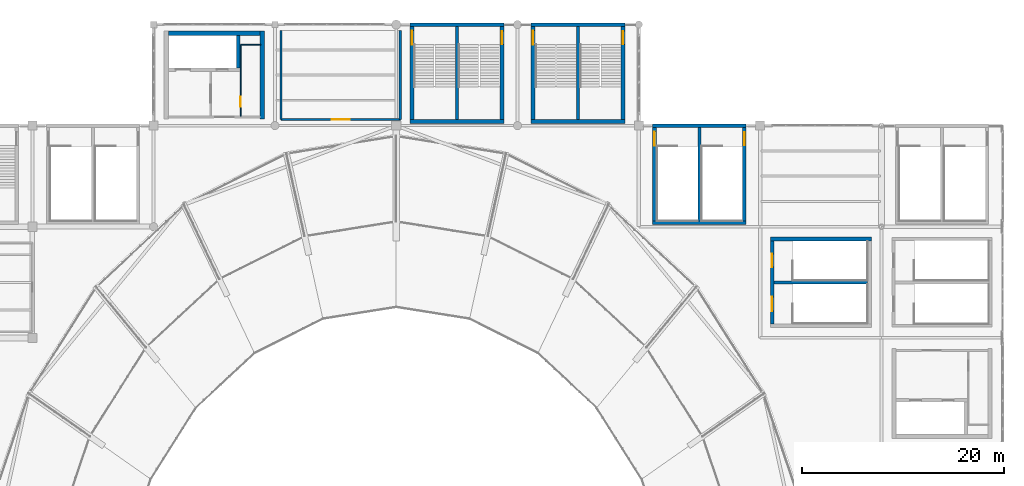
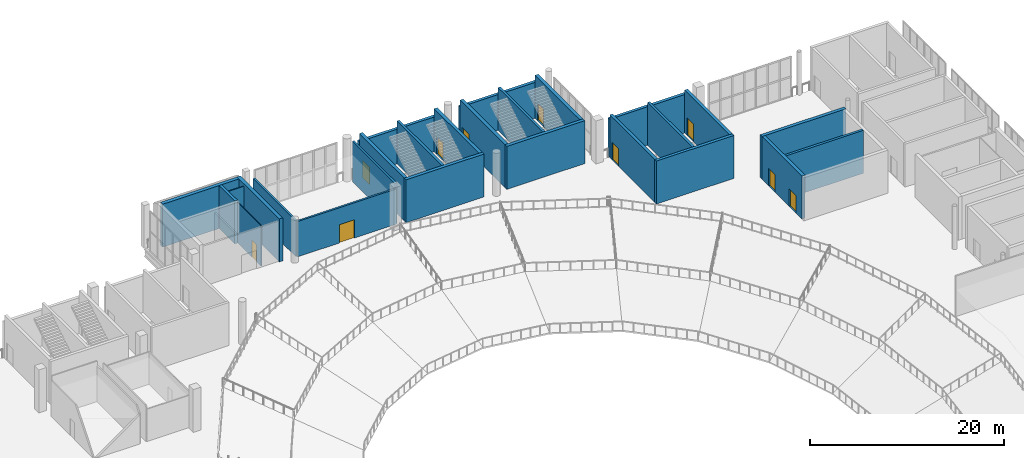
# One storey, part 55 of 74: 26 walls, 10 doors, 10 openings.
"""IFC4 building model written with IfcOpenShell, lengths in metres."""

from ifc_helpers import new_model, si_unit, direction, frame, frame_2d, origin, place, context, subcontext, project, spatial, rectangle, extrude, material, layer, layer_set, type_object, element, fill, save


model = new_model("IFC4")

# Units and contexts
model_context = context("Model", 3, precision=1e-05, world=origin(), true_north=direction((0.0, 1.0)))
body_context = subcontext(model_context, "Body", "Model", "MODEL_VIEW")
ifc_project = project(units=[si_unit("LENGTHUNIT", "METRE"), si_unit("AREAUNIT", "SQUARE_METRE"), si_unit("VOLUMEUNIT", "CUBIC_METRE"), si_unit("PLANEANGLEUNIT", "RADIAN"), si_unit("MASSUNIT", "GRAM", prefix="KILO")], contexts=[model_context])

# Site, building, storey
site_placement = place(None, origin())
site = spatial("IfcSite", under=ifc_project, at=site_placement, CompositionType="ELEMENT")
building_placement = place(site_placement, origin())
building = spatial("IfcBuilding", under=site, at=building_placement, Name="Brinegate Civic Arena", CompositionType="ELEMENT")
storey_placement = place(building_placement, frame((0.0, 0.0, 19.199951171875)))
storey = spatial("IfcBuildingStorey", under=building, at=storey_placement, Name="L04", CompositionType="ELEMENT", Elevation=19.199951171875)

# Wall
ifc_material_1 = material(Name="Concrete C50/60", Category="concrete")
ifc_layer_1 = layer(ifc_material_1, 0.35009765625, Name="Concrete C50/60")
ifc_layer_set_1 = layer_set([ifc_layer_1], Name="Concrete C50/60")
wall_type_1 = type_object("IfcWallType", Name="WALL-CORE-SHEAR-350", PredefinedType="SHEAR", material=ifc_layer_set_1)
wall_1_placement = place(storey_placement, frame((133.375, 104.39990234375, 0.0), z_axis=(0.0, 0.0, 1.0), x_axis=(1.0, 0.0, 0.0)))
element("IfcWall", 1, at=wall_1_placement, inside=storey, type_object=wall_type_1, Name="Stair ST-13 South Shear Wall L04 (WBE-50)", PredefinedType="SHEAR", context=body_context, shape_type="SweptSolid", body=[
    extrude(rectangle(XDim=9.25, YDim=0.35009765625, at=frame_2d((4.625, 0.0))), origin(), (0.0, 0.0, 1.0), 5.400146484375),
])

# Wall, opening, door
wall_2_placement = place(storey_placement, frame((133.550048828125, 104.574951171875, 0.0), z_axis=(0.0, 0.0, 1.0), x_axis=(0.0, 1.0, 0.0)))
wall_2 = element("IfcWall", 2, at=wall_2_placement, inside=storey, type_object=wall_type_1, Name="Stair ST-13 West Shear Wall L04 (WBE-52)", PredefinedType="SHEAR", context=body_context, shape_type="SweptSolid", body=[
    extrude(rectangle(XDim=9.25, YDim=0.35009765625, at=frame_2d((4.625, 0.0))), origin(), (0.0, 0.0, 1.0), 5.400146484375),
])
opening_1_placement = place(wall_2_placement, frame((7.425048828125, 0.0, 0.0)))
opening_1 = element("IfcOpeningElement", 3, at=opening_1_placement, cuts=wall_2, Name="Opening D-ST13A-L04", PredefinedType="OPENING", context=body_context, shape_type="SweptSolid", body=[
    extrude(rectangle(XDim=1.39990234375, YDim=2.199951171875, at=frame_2d((0.699951171875, 1.10009765625))), frame((0.0, 0.18505859375, 0.0), z_axis=(0.0, -1.0, 0.0), x_axis=(1.0, 0.0, 0.0)), (0.0, 0.0, 1.0), 0.3701171875),
])
ifc_material_2 = material(Name="Galvanized hurricane steel", Category="steel")
door_type_1 = type_object("IfcDoorType", Name="DOOR-STAIR-2400X2200", OperationType="NOTDEFINED", PredefinedType="DOOR", material=ifc_material_2)
door_1_placement = place(opening_1_placement, frame((1.39990234375, 0.0, 0.0), z_axis=(0.0, 0.0, 1.0), x_axis=(-1.0, 0.0, 0.0)))
door_1 = element("IfcDoor", 4, at=door_1_placement, inside=storey, type_object=door_type_1, Name="Protected Exit Stair Door D-ST13A-L04", OperationType="DOUBLE_DOOR_SINGLE_SWING", OverallHeight=2.199951171875, OverallWidth=1.39990234375, PredefinedType="DOOR", context=body_context, shape_type="SweptSolid", body=[
    extrude(rectangle(XDim=1.39990234375, YDim=2.199951171875, at=frame_2d((0.699951171875, 1.10009765625))), frame((0.0, 0.02490234375, 0.0), z_axis=(0.0, -1.0, 0.0), x_axis=(1.0, 0.0, 0.0)), (0.0, 0.0, 1.0), 0.050048828125),
])
fill(opening_1, door_1)

wall_3_placement = place(storey_placement, frame((142.449951171875, 104.574951171875, 0.0), z_axis=(0.0, 0.0, 1.0), x_axis=(0.0, 1.0, 0.0)))
wall_3 = element("IfcWall", 5, at=wall_3_placement, inside=storey, type_object=wall_type_1, Name="Stair ST-13 East Shear Wall L04 (WBE-53)", PredefinedType="SHEAR", context=body_context, shape_type="SweptSolid", body=[
    extrude(rectangle(XDim=9.25, YDim=0.35009765625, at=frame_2d((4.625, 0.0))), origin(), (0.0, 0.0, 1.0), 5.400146484375),
])
opening_2_placement = place(wall_3_placement, frame((7.465087890625, 0.0, 0.0)))
opening_2 = element("IfcOpeningElement", 6, at=opening_2_placement, cuts=wall_3, Name="Opening D-ST13B-L04", PredefinedType="OPENING", context=body_context, shape_type="SweptSolid", body=[
    extrude(rectangle(XDim=1.320068359375, YDim=2.199951171875, at=frame_2d((0.66015625, 1.10009765625))), frame((0.0, 0.18505859375, 0.0), z_axis=(0.0, -1.0, 0.0), x_axis=(1.0, 0.0, 0.0)), (0.0, 0.0, 1.0), 0.3701171875),
])
door_type_2 = type_object("IfcDoorType", Name="DOOR-STAIR-2200X2200", OperationType="NOTDEFINED", PredefinedType="DOOR", material=ifc_material_2)
door_2_placement = place(opening_2_placement, origin())
door_2 = element("IfcDoor", 7, at=door_2_placement, inside=storey, type_object=door_type_2, Name="Protected Exit Stair Door D-ST13B-L04", OperationType="DOUBLE_DOOR_SINGLE_SWING", OverallHeight=2.199951171875, OverallWidth=1.320068359375, PredefinedType="DOOR", context=body_context, shape_type="SweptSolid", body=[
    extrude(rectangle(XDim=1.320068359375, YDim=2.199951171875, at=frame_2d((0.66015625, 1.10009765625))), frame((0.0, 0.02490234375, 0.0), z_axis=(0.0, -1.0, 0.0), x_axis=(1.0, 0.0, 0.0)), (0.0, 0.0, 1.0), 0.050048828125),
])
fill(opening_2, door_2)

# Walls
wall_4_placement = place(storey_placement, frame((92.35009765625, 119.72509765625, 0.0), z_axis=(0.0, 0.0, 1.0), x_axis=(0.0, 1.0, 0.0)))
element("IfcWall", 8, at=wall_4_placement, inside=storey, type_object=wall_type_1, Name="Core K3 Lift Shaft End Wall L04 (WBG-85)", PredefinedType="SHEAR", context=body_context, shape_type="SweptSolid", body=[
    extrude(rectangle(XDim=3.21484375, YDim=0.35009765625, at=frame_2d((1.607421875, 0.0))), origin(), (0.0, 0.0, 1.0), 5.400146484375),
])
ifc_layer_2 = layer(ifc_material_1, 0.389892578125, Name="Concrete C50/60")
ifc_layer_set_2 = layer_set([ifc_layer_2], Name="Concrete C50/60")
wall_type_2 = type_object("IfcWallType", Name="WALL-CORE-SHEAR-390", PredefinedType="SHEAR", material=ifc_layer_set_2)
wall_5_placement = place(storey_placement, frame((121.35498046875, 114.39990234375, 0.0), z_axis=(0.0, 0.0, 1.0), x_axis=(1.0, 0.0, 0.0)))
element("IfcWall", 9, at=wall_5_placement, inside=storey, type_object=wall_type_2, Name="Stair ST-03 South Shear Wall L04 (WBB-82)", PredefinedType="SHEAR", context=body_context, shape_type="SweptSolid", body=[
    extrude(rectangle(XDim=9.2900390625, YDim=0.389892578125, at=frame_2d((4.64501953125, 0.0))), origin(), (0.0, 0.0, 1.0), 5.400146484375),
])

# Wall, opening, door
wall_6_placement = place(storey_placement, frame((121.550048828125, 114.594970703125, 0.0), z_axis=(0.0, 0.0, 1.0), x_axis=(0.0, 1.0, 0.0)))
wall_6 = element("IfcWall", 10, at=wall_6_placement, inside=storey, type_object=wall_type_2, Name="Stair ST-03 West Shear Wall L04 (WBB-84)", PredefinedType="SHEAR", context=body_context, shape_type="SweptSolid", body=[
    extrude(rectangle(XDim=9.22998046875, YDim=0.389892578125, at=frame_2d((4.614990234375, 0.0))), origin(), (0.0, 0.0, 1.0), 5.400146484375),
])
opening_3_placement = place(wall_6_placement, frame((7.405029296875, 0.0, 0.0)))
opening_3 = element("IfcOpeningElement", 11, at=opening_3_placement, cuts=wall_6, Name="Opening D-ST03A-L04", PredefinedType="OPENING", context=body_context, shape_type="SweptSolid", body=[
    extrude(rectangle(XDim=1.39990234375, YDim=2.199951171875, at=frame_2d((0.699951171875, 1.10009765625))), frame((0.0, 0.204833984375, 0.0), z_axis=(0.0, -1.0, 0.0), x_axis=(1.0, 0.0, 0.0)), (0.0, 0.0, 1.0), 0.409912109375),
])
door_3_placement = place(opening_3_placement, frame((1.39990234375, 0.0, 0.0), z_axis=(0.0, 0.0, 1.0), x_axis=(-1.0, 0.0, 0.0)))
door_3 = element("IfcDoor", 12, at=door_3_placement, inside=storey, type_object=door_type_1, Name="Protected Exit Stair Door D-ST03A-L04", OperationType="DOUBLE_DOOR_SINGLE_SWING", OverallHeight=2.199951171875, OverallWidth=1.39990234375, PredefinedType="DOOR", context=body_context, shape_type="SweptSolid", body=[
    extrude(rectangle(XDim=1.39990234375, YDim=2.199951171875, at=frame_2d((0.699951171875, 1.10009765625))), frame((0.0, 0.02490234375, 0.0), z_axis=(0.0, -1.0, 0.0), x_axis=(1.0, 0.0, 0.0)), (0.0, 0.0, 1.0), 0.050048828125),
])
fill(opening_3, door_3)

wall_7_placement = place(storey_placement, frame((130.449951171875, 114.594970703125, 0.0), z_axis=(0.0, 0.0, 1.0), x_axis=(0.0, 1.0, 0.0)))
wall_7 = element("IfcWall", 13, at=wall_7_placement, inside=storey, type_object=wall_type_2, Name="Stair ST-03 East Shear Wall L04 (WBB-85)", PredefinedType="SHEAR", context=body_context, shape_type="SweptSolid", body=[
    extrude(rectangle(XDim=9.22998046875, YDim=0.389892578125, at=frame_2d((4.614990234375, 0.0))), origin(), (0.0, 0.0, 1.0), 5.400146484375),
])
opening_4_placement = place(wall_7_placement, frame((7.445068359375, 0.0, 0.0)))
opening_4 = element("IfcOpeningElement", 14, at=opening_4_placement, cuts=wall_7, Name="Opening D-ST03B-L04", PredefinedType="OPENING", context=body_context, shape_type="SweptSolid", body=[
    extrude(rectangle(XDim=1.320068359375, YDim=2.199951171875, at=frame_2d((0.66015625, 1.10009765625))), frame((0.0, 0.204833984375, 0.0), z_axis=(0.0, -1.0, 0.0), x_axis=(1.0, 0.0, 0.0)), (0.0, 0.0, 1.0), 0.409912109375),
])
door_4_placement = place(opening_4_placement, origin())
door_4 = element("IfcDoor", 15, at=door_4_placement, inside=storey, type_object=door_type_2, Name="Protected Exit Stair Door D-ST03B-L04", OperationType="DOUBLE_DOOR_SINGLE_SWING", OverallHeight=2.199951171875, OverallWidth=1.320068359375, PredefinedType="DOOR", context=body_context, shape_type="SweptSolid", body=[
    extrude(rectangle(XDim=1.320068359375, YDim=2.199951171875, at=frame_2d((0.66015625, 1.10009765625))), frame((0.0, 0.02490234375, 0.0), z_axis=(0.0, -1.0, 0.0), x_axis=(1.0, 0.0, 0.0)), (0.0, 0.0, 1.0), 0.050048828125),
])
fill(opening_4, door_4)

# Wall
wall_8_placement = place(storey_placement, frame((109.35498046875, 114.39990234375, 0.0), z_axis=(0.0, 0.0, 1.0), x_axis=(1.0, 0.0, 0.0)))
element("IfcWall", 16, at=wall_8_placement, inside=storey, type_object=wall_type_2, Name="Stair ST-15 South Shear Wall L04 (WBF-01)", PredefinedType="SHEAR", context=body_context, shape_type="SweptSolid", body=[
    extrude(rectangle(XDim=9.2900390625, YDim=0.389892578125, at=frame_2d((4.64501953125, 0.0))), origin(), (0.0, 0.0, 1.0), 5.400146484375),
])

# Wall, opening, door
wall_9_placement = place(storey_placement, frame((109.550048828125, 114.594970703125, 0.0), z_axis=(0.0, 0.0, 1.0), x_axis=(0.0, 1.0, 0.0)))
wall_9 = element("IfcWall", 17, at=wall_9_placement, inside=storey, type_object=wall_type_2, Name="Stair ST-15 West Shear Wall L04 (WBF-03)", PredefinedType="SHEAR", context=body_context, shape_type="SweptSolid", body=[
    extrude(rectangle(XDim=9.22998046875, YDim=0.389892578125, at=frame_2d((4.614990234375, 0.0))), origin(), (0.0, 0.0, 1.0), 5.400146484375),
])
opening_5_placement = place(wall_9_placement, frame((7.405029296875, 0.0, 0.0)))
opening_5 = element("IfcOpeningElement", 18, at=opening_5_placement, cuts=wall_9, Name="Opening D-ST15A-L04", PredefinedType="OPENING", context=body_context, shape_type="SweptSolid", body=[
    extrude(rectangle(XDim=1.39990234375, YDim=2.199951171875, at=frame_2d((0.699951171875, 1.10009765625))), frame((0.0, 0.204833984375, 0.0), z_axis=(0.0, -1.0, 0.0), x_axis=(1.0, 0.0, 0.0)), (0.0, 0.0, 1.0), 0.409912109375),
])
door_5_placement = place(opening_5_placement, frame((1.39990234375, 0.0, 0.0), z_axis=(0.0, 0.0, 1.0), x_axis=(-1.0, 0.0, 0.0)))
door_5 = element("IfcDoor", 19, at=door_5_placement, inside=storey, type_object=door_type_1, Name="Protected Exit Stair Door D-ST15A-L04", OperationType="DOUBLE_DOOR_SINGLE_SWING", OverallHeight=2.199951171875, OverallWidth=1.39990234375, PredefinedType="DOOR", context=body_context, shape_type="SweptSolid", body=[
    extrude(rectangle(XDim=1.39990234375, YDim=2.199951171875, at=frame_2d((0.699951171875, 1.10009765625))), frame((0.0, 0.02490234375, 0.0), z_axis=(0.0, -1.0, 0.0), x_axis=(1.0, 0.0, 0.0)), (0.0, 0.0, 1.0), 0.050048828125),
])
fill(opening_5, door_5)

wall_10_placement = place(storey_placement, frame((118.449951171875, 114.594970703125, 0.0), z_axis=(0.0, 0.0, 1.0), x_axis=(0.0, 1.0, 0.0)))
wall_10 = element("IfcWall", 20, at=wall_10_placement, inside=storey, type_object=wall_type_2, Name="Stair ST-15 East Shear Wall L04 (WBF-04)", PredefinedType="SHEAR", context=body_context, shape_type="SweptSolid", body=[
    extrude(rectangle(XDim=9.22998046875, YDim=0.389892578125, at=frame_2d((4.614990234375, 0.0))), origin(), (0.0, 0.0, 1.0), 5.400146484375),
])
opening_6_placement = place(wall_10_placement, frame((7.445068359375, 0.0, 0.0)))
opening_6 = element("IfcOpeningElement", 21, at=opening_6_placement, cuts=wall_10, Name="Opening D-ST15B-L04", PredefinedType="OPENING", context=body_context, shape_type="SweptSolid", body=[
    extrude(rectangle(XDim=1.320068359375, YDim=2.199951171875, at=frame_2d((0.66015625, 1.10009765625))), frame((0.0, 0.204833984375, 0.0), z_axis=(0.0, -1.0, 0.0), x_axis=(1.0, 0.0, 0.0)), (0.0, 0.0, 1.0), 0.409912109375),
])
door_6_placement = place(opening_6_placement, origin())
door_6 = element("IfcDoor", 22, at=door_6_placement, inside=storey, type_object=door_type_2, Name="Protected Exit Stair Door D-ST15B-L04", OperationType="DOUBLE_DOOR_SINGLE_SWING", OverallHeight=2.199951171875, OverallWidth=1.320068359375, PredefinedType="DOOR", context=body_context, shape_type="SweptSolid", body=[
    extrude(rectangle(XDim=1.320068359375, YDim=2.199951171875, at=frame_2d((0.66015625, 1.10009765625))), frame((0.0, 0.02490234375, 0.0), z_axis=(0.0, -1.0, 0.0), x_axis=(1.0, 0.0, 0.0)), (0.0, 0.0, 1.0), 0.050048828125),
])
fill(opening_6, door_6)

# Wall
wall_11_placement = place(storey_placement, frame((145.0048828125, 102.800048828125, 0.0), z_axis=(0.0, 0.0, 1.0), x_axis=(1.0, 0.0, 0.0)))
element("IfcWall", 23, at=wall_11_placement, inside=storey, type_object=wall_type_2, Name="Stair ST-18 North Shear Wall L04 (WBL-22)", PredefinedType="SHEAR", context=body_context, shape_type="SweptSolid", body=[
    extrude(rectangle(XDim=9.990234375, YDim=0.389892578125, at=frame_2d((4.9951171875, 0.0))), origin(), (0.0, 0.0, 1.0), 5.400146484375),
])

# Wall, openings, doors
wall_12_placement = place(storey_placement, frame((145.199951171875, 94.39501953125, 0.0), z_axis=(0.0, 0.0, 1.0), x_axis=(0.0, 1.0, 0.0)))
wall_12 = element("IfcWall", 24, at=wall_12_placement, inside=storey, type_object=wall_type_2, Name="Stair ST-18 West Shear Wall L04 (WBL-23)", PredefinedType="SHEAR", context=body_context, shape_type="SweptSolid", body=[
    extrude(rectangle(XDim=8.2099609375, YDim=0.389892578125, at=frame_2d((4.10498046875, 0.0))), origin(), (0.0, 0.0, 1.0), 5.400146484375),
])
opening_7_placement = place(wall_12_placement, frame((1.2548828125, 0.0, 0.0)))
opening_7 = element("IfcOpeningElement", 25, at=opening_7_placement, cuts=wall_12, Name="Opening D-ST18A-L04", PredefinedType="OPENING", context=body_context, shape_type="SweptSolid", body=[
    extrude(rectangle(XDim=1.39990234375, YDim=2.199951171875, at=frame_2d((0.699951171875, 1.10009765625))), frame((0.0, 0.204833984375, 0.0), z_axis=(0.0, -1.0, 0.0), x_axis=(1.0, 0.0, 0.0)), (0.0, 0.0, 1.0), 0.409912109375),
])
opening_8_placement = place(wall_12_placement, frame((5.594970703125, 0.0, 0.0)))
opening_8 = element("IfcOpeningElement", 26, at=opening_8_placement, cuts=wall_12, Name="Opening D-ST18B-L04", PredefinedType="OPENING", context=body_context, shape_type="SweptSolid", body=[
    extrude(rectangle(XDim=1.320068359375, YDim=2.199951171875, at=frame_2d((0.66015625, 1.10009765625))), frame((0.0, 0.204833984375, 0.0), z_axis=(0.0, -1.0, 0.0), x_axis=(1.0, 0.0, 0.0)), (0.0, 0.0, 1.0), 0.409912109375),
])
door_7_placement = place(opening_8_placement, origin())
door_7 = element("IfcDoor", 27, at=door_7_placement, inside=storey, type_object=door_type_2, Name="Protected Exit Stair Door D-ST18B-L04", OperationType="DOUBLE_DOOR_SINGLE_SWING", OverallHeight=2.199951171875, OverallWidth=1.320068359375, PredefinedType="DOOR", context=body_context, shape_type="SweptSolid", body=[
    extrude(rectangle(XDim=1.320068359375, YDim=2.199951171875, at=frame_2d((0.66015625, 1.10009765625))), frame((0.0, 0.02490234375, 0.0), z_axis=(0.0, -1.0, 0.0), x_axis=(1.0, 0.0, 0.0)), (0.0, 0.0, 1.0), 0.050048828125),
])
fill(opening_8, door_7)
door_8_placement = place(opening_7_placement, origin())
door_8 = element("IfcDoor", 28, at=door_8_placement, inside=storey, type_object=door_type_1, Name="Protected Exit Stair Door D-ST18A-L04", OperationType="DOUBLE_DOOR_SINGLE_SWING", OverallHeight=2.199951171875, OverallWidth=1.39990234375, PredefinedType="DOOR", context=body_context, shape_type="SweptSolid", body=[
    extrude(rectangle(XDim=1.39990234375, YDim=2.199951171875, at=frame_2d((0.699951171875, 1.10009765625))), frame((0.0, 0.02490234375, 0.0), z_axis=(0.0, -1.0, 0.0), x_axis=(1.0, 0.0, 0.0)), (0.0, 0.0, 1.0), 0.050048828125),
])
fill(opening_7, door_8)

# Walls
ifc_layer_3 = layer(ifc_material_1, 0.419921875, Name="Concrete C50/60")
ifc_layer_set_3 = layer_set([ifc_layer_3], Name="Concrete C50/60")
wall_type_3 = type_object("IfcWallType", Name="WALL-CORE-SHEAR-420", PredefinedType="SHEAR", material=ifc_layer_set_3)
wall_13_placement = place(storey_placement, frame((94.75, 114.639892578125, 0.0), z_axis=(0.0, 0.0, 1.0), x_axis=(0.0, 1.0, 0.0)))
element("IfcWall", 29, at=wall_13_placement, inside=storey, type_object=wall_type_3, Name="Core K3 East Shear Wall L04 (WBG-82)", PredefinedType="SHEAR", context=body_context, shape_type="SweptSolid", body=[
    extrude(rectangle(XDim=8.72021484375, YDim=0.419921875, at=frame_2d((4.360107421875, 0.0))), origin(), (0.0, 0.0, 1.0), 5.400146484375),
])
wall_14_placement = place(storey_placement, frame((85.4599609375, 123.14990234375, 0.0), z_axis=(0.0, 0.0, 1.0), x_axis=(1.0, 0.0, 0.0)))
element("IfcWall", 30, at=wall_14_placement, inside=storey, type_object=wall_type_3, Name="Core K3 North Shear Wall L04 (WBG-83)", PredefinedType="SHEAR", context=body_context, shape_type="SweptSolid", body=[
    extrude(rectangle(XDim=9.080078125, YDim=0.419921875, at=frame_2d((4.5400390625, 0.0))), origin(), (0.0, 0.0, 1.0), 5.400146484375),
])
ifc_layer_4 = layer(ifc_material_1, 0.35009765625, Name="Concrete C50/60")
ifc_layer_set_4 = layer_set([ifc_layer_4], Name="Concrete C50/60")
wall_type_4 = type_object("IfcWallType", Name="WALL-EXT-STAIR-SHEAR-350", PredefinedType="SHEAR", material=ifc_layer_set_4)
wall_15_placement = place(storey_placement, frame((121.35498046875, 124.0, 0.0), z_axis=(0.0, 0.0, 1.0), x_axis=(1.0, 0.0, 0.0)))
element("IfcWall", 31, at=wall_15_placement, inside=storey, type_object=wall_type_4, Name="Stair ST-03 North Shear Wall L04 (WBB-83)", PredefinedType="SHEAR", context=body_context, shape_type="SweptSolid", body=[
    extrude(rectangle(XDim=9.2900390625, YDim=0.35009765625, at=frame_2d((4.64501953125, 0.0))), origin(), (0.0, 0.0, 1.0), 4.506103515625),
])
wall_16_placement = place(storey_placement, frame((133.375, 114.0, 0.0), z_axis=(0.0, 0.0, 1.0), x_axis=(1.0, 0.0, 0.0)))
element("IfcWall", 32, at=wall_16_placement, inside=storey, type_object=wall_type_4, Name="Stair ST-13 North Shear Wall L04 (WBE-51)", PredefinedType="SHEAR", context=body_context, shape_type="SweptSolid", body=[
    extrude(rectangle(XDim=9.25, YDim=0.35009765625, at=frame_2d((4.625, 0.0))), origin(), (0.0, 0.0, 1.0), 4.8359375),
])
wall_17_placement = place(storey_placement, frame((109.35498046875, 124.0, 0.0), z_axis=(0.0, 0.0, 1.0), x_axis=(1.0, 0.0, 0.0)))
element("IfcWall", 33, at=wall_17_placement, inside=storey, type_object=wall_type_4, Name="Stair ST-15 North Shear Wall L04 (WBF-02)", PredefinedType="SHEAR", context=body_context, shape_type="SweptSolid", body=[
    extrude(rectangle(XDim=9.2900390625, YDim=0.35009765625, at=frame_2d((4.64501953125, 0.0))), origin(), (0.0, 0.0, 1.0), 4.35693359375),
])
ifc_material_3 = material(Name="Concrete C40/50", Category="concrete")
ifc_layer_5 = layer(ifc_material_3, 0.22998046875, Name="Concrete C40/50")
ifc_layer_set_5 = layer_set([ifc_layer_5], Name="Concrete C40/50")
wall_type_5 = type_object("IfcWallType", Name="WALL-INT-SOLID-230", PredefinedType="SOLIDWALL", material=ifc_layer_set_5)
wall_18_placement = place(storey_placement, frame((108.39990234375, 123.39990234375, 0.0), z_axis=(0.0, 0.0, 1.0), x_axis=(0.0, -1.0, 0.0)))
element("IfcWall", 34, at=wall_18_placement, inside=storey, type_object=wall_type_5, Name="Upper North Spectator Food Court Partition Wall E1 (WBK-30)", PredefinedType="SOLIDWALL", context=body_context, shape_type="SweptSolid", body=[
    extrude(rectangle(XDim=8.7998046875, YDim=0.22998046875, at=frame_2d((4.39990234375, 0.0))), origin(), (0.0, 0.0, 1.0), 5.070068359375),
])

# Wall, opening, door
wall_19_placement = place(storey_placement, frame((108.39990234375, 114.60009765625, 0.0), z_axis=(0.0, 0.0, 1.0), x_axis=(-1.0, 0.0, 0.0)))
wall_19 = element("IfcWall", 35, at=wall_19_placement, inside=storey, type_object=wall_type_5, Name="Upper North Spectator Food Court Partition Wall E2 (WBK-31)", PredefinedType="SOLIDWALL", context=body_context, shape_type="SweptSolid", body=[
    extrude(rectangle(XDim=11.7998046875, YDim=0.22998046875, at=frame_2d((5.89990234375, 0.0))), origin(), (0.0, 0.0, 1.0), 4.43896484375),
])
opening_9_placement = place(wall_19_placement, frame((5.0, 0.0, 0.0)))
opening_9 = element("IfcOpeningElement", 36, at=opening_9_placement, cuts=wall_19, Name="Opening D-L04-216", PredefinedType="OPENING", context=body_context, shape_type="SweptSolid", body=[
    extrude(rectangle(XDim=1.800048828125, YDim=2.300048828125, at=frame_2d((0.89990234375, 1.14990234375))), frame((0.0, 0.125, 0.0), z_axis=(0.0, -1.0, 0.0), x_axis=(1.0, 0.0, 0.0)), (0.0, 0.0, 1.0), 0.25),
])
ifc_material_4 = material(Name="Marine grade aluminium", Category="aluminium")
door_type_3 = type_object("IfcDoorType", Name="DOOR-CONC-1800X2300", OperationType="NOTDEFINED", PredefinedType="DOOR", material=ifc_material_4)
door_9_placement = place(opening_9_placement, origin())
door_9 = element("IfcDoor", 37, at=door_9_placement, inside=storey, type_object=door_type_3, Name="Upper North Spectator Food Court Door D-L04-216", OperationType="DOUBLE_DOOR_SINGLE_SWING", OverallHeight=2.300048828125, OverallWidth=1.800048828125, PredefinedType="DOOR", context=body_context, shape_type="SweptSolid", body=[
    extrude(rectangle(XDim=1.800048828125, YDim=2.300048828125, at=frame_2d((0.89990234375, 1.14990234375))), frame((0.0, 0.02490234375, 0.0), z_axis=(0.0, -1.0, 0.0), x_axis=(1.0, 0.0, 0.0)), (0.0, 0.0, 1.0), 0.050048828125),
])
fill(opening_9, door_9)

# Wall
wall_20_placement = place(storey_placement, frame((96.60009765625, 114.60009765625, 0.0), z_axis=(0.0, 0.0, 1.0), x_axis=(0.0, 1.0, 0.0)))
element("IfcWall", 38, at=wall_20_placement, inside=storey, type_object=wall_type_5, Name="Upper North Spectator Food Court Partition Wall E3 (WBK-32)", PredefinedType="SOLIDWALL", context=body_context, shape_type="SweptSolid", body=[
    extrude(rectangle(XDim=8.7998046875, YDim=0.22998046875, at=frame_2d((4.39990234375, 0.0))), origin(), (0.0, 0.0, 1.0), 4.506103515625),
])

# Wall, opening, door
ifc_material_5 = material(Name="Concrete blockwork masonry", Category="masonry")
ifc_layer_6 = layer(ifc_material_5, 0.10009765625, Name="Concrete blockwork masonry")
ifc_layer_set_6 = layer_set([ifc_layer_6], Name="Concrete blockwork masonry")
wall_type_6 = type_object("IfcWallType", Name="WALL-PART-WET-100", PredefinedType="PARTITIONING", material=ifc_layer_set_6)
wall_21_placement = place(storey_placement, frame((92.60009765625, 114.949951171875, 0.0), z_axis=(0.0, 0.0, 1.0), x_axis=(0.0, 1.0, 0.0)))
wall_21 = element("IfcWall", 39, at=wall_21_placement, inside=storey, type_object=wall_type_6, Name="Accessible WC K3 Partition L04 (WBG-88)", PredefinedType="PARTITIONING", context=body_context, shape_type="SweptSolid", body=[
    extrude(rectangle(XDim=7.050048828125, YDim=0.10009765625, at=frame_2d((3.52490234375, 0.0))), origin(), (0.0, 0.0, 1.0), 5.070068359375),
])
opening_10_placement = place(wall_21_placement, frame((0.89990234375, 0.0, 0.0)))
opening_10 = element("IfcOpeningElement", 40, at=opening_10_placement, cuts=wall_21, Name="Opening D-K3W-L04", PredefinedType="OPENING", context=body_context, shape_type="SweptSolid", body=[
    extrude(rectangle(XDim=1.0, YDim=2.10009765625, at=frame_2d((0.5, 1.050048828125))), frame((0.0, 0.06005859375, 0.0), z_axis=(0.0, -1.0, 0.0), x_axis=(1.0, 0.0, 0.0)), (0.0, 0.0, 1.0), 0.1201171875),
])
ifc_material_6 = material(Name="Hardwood acoustic timber door", Category="wood")
door_type_4 = type_object("IfcDoorType", Name="DOOR-AWC-1000X2100", OperationType="NOTDEFINED", PredefinedType="DOOR", material=ifc_material_6)
door_10_placement = place(opening_10_placement, origin())
door_10 = element("IfcDoor", 41, at=door_10_placement, inside=storey, type_object=door_type_4, Name="Accessible WC Door D-K3W-L04", OperationType="SINGLE_SWING_LEFT", OverallHeight=2.10009765625, OverallWidth=1.0, PredefinedType="DOOR", context=body_context, shape_type="SweptSolid", body=[
    extrude(rectangle(XDim=1.0, YDim=2.10009765625, at=frame_2d((0.5, 1.050048828125))), frame((0.0, 0.02490234375, 0.0), z_axis=(0.0, -1.0, 0.0), x_axis=(1.0, 0.0, 0.0)), (0.0, 0.0, 1.0), 0.050048828125),
])
fill(opening_10, door_10)

# Walls
wall_22_placement = place(storey_placement, frame((92.60009765625, 122.0, 0.0), z_axis=(0.0, 0.0, 1.0), x_axis=(1.0, 0.0, 0.0)))
element("IfcWall", 42, at=wall_22_placement, inside=storey, type_object=wall_type_6, Name="Accessible WC K3 Back Partition L04 (WBG-89)", PredefinedType="PARTITIONING", context=body_context, shape_type="SweptSolid", body=[
    extrude(rectangle(XDim=2.0, YDim=0.10009765625, at=frame_2d((1.0, 0.0))), origin(), (0.0, 0.0, 1.0), 5.070068359375),
])
ifc_layer_7 = layer(ifc_material_1, 0.2900390625, Name="Concrete C50/60")
ifc_layer_set_7 = layer_set([ifc_layer_7], Name="Concrete C50/60")
wall_type_7 = type_object("IfcWallType", Name="WALL-STAIR-SHEAR-290", PredefinedType="SHEAR", material=ifc_layer_set_7)
wall_23_placement = place(storey_placement, frame((126.0, 114.594970703125, 0.0), z_axis=(0.0, 0.0, 1.0), x_axis=(0.0, 1.0, 0.0)))
element("IfcWall", 43, at=wall_23_placement, inside=storey, type_object=wall_type_7, Name="Stair ST-03 Central Dividing Shear Wall L04 (WBB-86)", PredefinedType="SHEAR", context=body_context, shape_type="SweptSolid", body=[
    extrude(rectangle(XDim=9.22998046875, YDim=0.2900390625, at=frame_2d((4.614990234375, 0.0))), origin(), (0.0, 0.0, 1.0), 5.400146484375),
])
wall_24_placement = place(storey_placement, frame((138.0, 104.574951171875, 0.0), z_axis=(0.0, 0.0, 1.0), x_axis=(0.0, 1.0, 0.0)))
element("IfcWall", 44, at=wall_24_placement, inside=storey, type_object=wall_type_7, Name="Stair ST-13 Central Dividing Shear Wall L04 (WBE-54)", PredefinedType="SHEAR", context=body_context, shape_type="SweptSolid", body=[
    extrude(rectangle(XDim=9.25, YDim=0.2900390625, at=frame_2d((4.625, 0.0))), origin(), (0.0, 0.0, 1.0), 5.400146484375),
])
wall_25_placement = place(storey_placement, frame((114.0, 114.594970703125, 0.0), z_axis=(0.0, 0.0, 1.0), x_axis=(0.0, 1.0, 0.0)))
element("IfcWall", 45, at=wall_25_placement, inside=storey, type_object=wall_type_7, Name="Stair ST-15 Central Dividing Shear Wall L04 (WBF-05)", PredefinedType="SHEAR", context=body_context, shape_type="SweptSolid", body=[
    extrude(rectangle(XDim=9.22998046875, YDim=0.2900390625, at=frame_2d((4.614990234375, 0.0))), origin(), (0.0, 0.0, 1.0), 5.400146484375),
])
wall_26_placement = place(storey_placement, frame((145.39501953125, 98.5, 0.0), z_axis=(0.0, 0.0, 1.0), x_axis=(1.0, 0.0, 0.0)))
element("IfcWall", 46, at=wall_26_placement, inside=storey, type_object=wall_type_7, Name="Stair ST-18 Central Dividing Shear Wall L04 (WBL-25)", PredefinedType="SHEAR", context=body_context, shape_type="SweptSolid", body=[
    extrude(rectangle(XDim=9.2099609375, YDim=0.2900390625, at=frame_2d((4.60498046875, 0.0))), origin(), (0.0, 0.0, 1.0), 5.400146484375),
])

save(model, "model.ifc")
